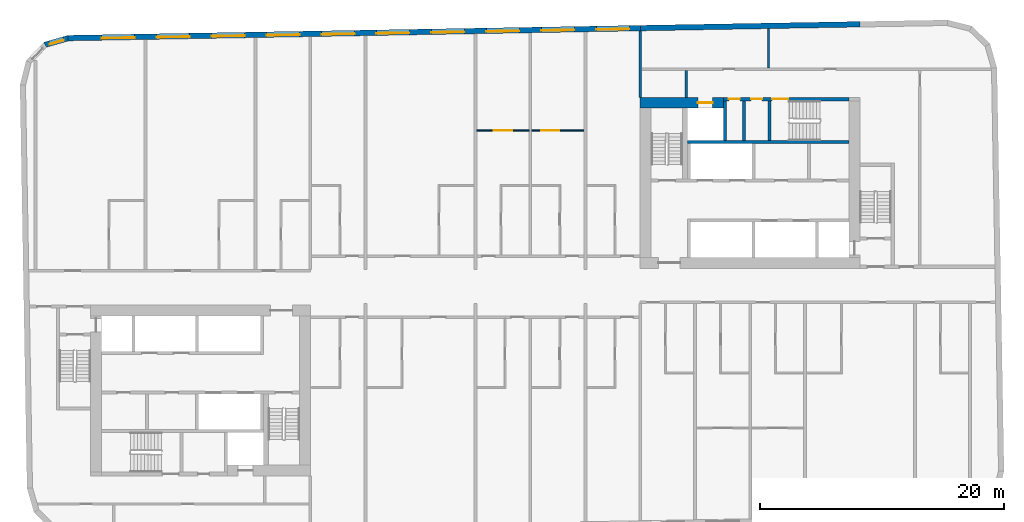
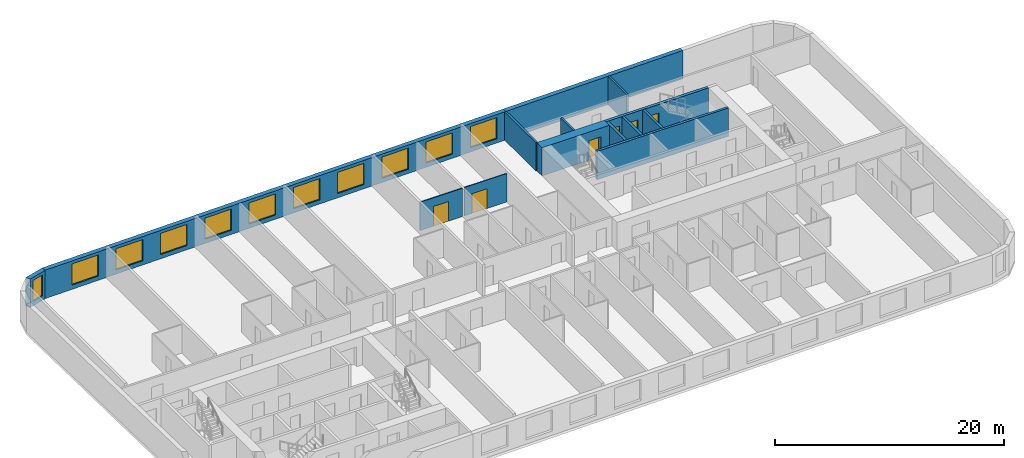
# One storey, part 6 of 11: 14 walls, 11 windows, 6 doors, 17 openings.
"""IFC4 building model written with IfcOpenShell, lengths in metres."""

import ifcopenshell
import ifcopenshell.guid

model = None  # the IFC model being written
_history = None  # IfcOwnerHistory: only IFC2X3 demands one
_inside = {}  # id of a spatial element -> (the spatial element, [elements in it])
_under = {}  # id of a project, library or spatial element -> (it, [spatial elements below it])
_declared = {}  # id of a project -> (the project, [libraries it declares])
_typed = {}  # id of a type object -> (the type object, [elements of that type])
_made_of = {}  # id of a material, layer set ... -> (it, [elements and type objects made of it])


def new_model(schema):
    """Start an empty IFC model of exactly this schema.

    Asked for "IFC4X3", IfcOpenShell would pick the latest addendum, in which some entities
    have other attributes; the version numbers below select the first issue.
    IFC2X3 requires an IfcOwnerHistory on every rooted entity: one is made here for all.
    """
    global model, _history
    if schema == "IFC4X3":
        model = ifcopenshell.file(schema_version=(4, 3, 0, 0))
    else:
        model = ifcopenshell.file(schema=schema)
    _inside.clear()
    _under.clear()
    _declared.clear()
    _typed.clear()
    _made_of.clear()
    _history = None
    if model.schema == "IFC2X3":
        org = make("IfcOrganization", Name="unknown")
        user = make(
            "IfcPersonAndOrganization",
            ThePerson=make("IfcPerson", FamilyName="unknown"),
            TheOrganization=org,
        )
        app = make(
            "IfcApplication",
            ApplicationDeveloper=org,
            Version="unknown",
            ApplicationFullName="unknown",
            ApplicationIdentifier="unknown",
        )
        _history = make(
            "IfcOwnerHistory",
            OwningUser=user,
            OwningApplication=app,
            ChangeAction="ADDED",
            CreationDate=0,
        )
    return model


def make(cls, **values):
    """One entity of the class cls with the attributes given. An attribute that is None is left unset."""
    return model.create_entity(
        cls, **{name: value for name, value in values.items() if value is not None}
    )


def rooted(cls, **values):
    """An entity with a GlobalId (a new one), such as an element, a storey or a relation."""
    return make(cls, GlobalId=ifcopenshell.guid.new(), OwnerHistory=_history, **values)


def si_unit(unit_type, name, prefix=None):
    """IfcSIUnit, for example si_unit("LENGTHUNIT", "METRE", prefix="MILLI")."""
    return make("IfcSIUnit", UnitType=unit_type, Prefix=prefix, Name=name)


def assignment(units):
    """IfcUnitAssignment: the units of a project."""
    return None if units is None else make("IfcUnitAssignment", Units=units)


def point(xyz):
    """IfcCartesianPoint."""
    return None if xyz is None else make("IfcCartesianPoint", Coordinates=xyz)


def direction(xyz):
    """IfcDirection."""
    return None if xyz is None else make("IfcDirection", DirectionRatios=xyz)


def frame(location, z_axis=None, x_axis=None):
    """IfcAxis2Placement3D, a coordinate frame: its origin and axes. An axis left out is left unset."""
    return make(
        "IfcAxis2Placement3D",
        Location=point(location),
        Axis=direction(z_axis),
        RefDirection=direction(x_axis),
    )


def frame_2d(location, x_axis=None):
    """IfcAxis2Placement2D, a coordinate frame in the plane: its origin and x axis."""
    return make(
        "IfcAxis2Placement2D", Location=point(location), RefDirection=direction(x_axis)
    )


def origin():
    """The frame at (0, 0, 0) with its axes left unset."""
    return frame((0.0, 0.0, 0.0))


def place(relative_to, where):
    """IfcLocalPlacement: puts the frame where relative to a parent placement (None: the world)."""
    return make(
        "IfcLocalPlacement", PlacementRelTo=relative_to, RelativePlacement=where
    )


def context(
    kind, dimensions, precision=None, world=None, true_north=None, identifier=None
):
    """IfcGeometricRepresentationContext, for example the 3D "Model" context."""
    return make(
        "IfcGeometricRepresentationContext",
        ContextIdentifier=identifier,
        ContextType=kind,
        CoordinateSpaceDimension=dimensions,
        Precision=precision,
        WorldCoordinateSystem=world,
        TrueNorth=true_north,
    )


def subcontext(parent, identifier, kind, view, scale=None):
    """IfcGeometricRepresentationSubContext, for example "Body" below "Model"."""
    return make(
        "IfcGeometricRepresentationSubContext",
        ContextIdentifier=identifier,
        ContextType=kind,
        ParentContext=parent,
        TargetScale=scale,
        TargetView=view,
    )


def project(units=None, contexts=None):
    """IfcProject with its units and contexts."""
    return rooted(
        "IfcProject",
        Name="project",
        RepresentationContexts=contexts,
        UnitsInContext=assignment(units),
    )


def spatial(cls, under=None, at=None, **own):
    """A site, building, storey or space (cls), placed at a placement, below another one or the project."""
    s = rooted(cls, ObjectPlacement=at, **own)
    if under is not None:
        _under.setdefault(under.id(), (under, []))[1].append(s)
    return s


def polyline(points):
    """IfcPolyline through the points."""
    return make("IfcPolyline", Points=[point(p) for p in points])


def profile(cls, at=None, kind="AREA", **sizes):
    """A parametric profile (cls). Its sizes go by their IFC names, for example OverallWidth=200.0."""
    return make(cls, ProfileType=kind, Position=at, **sizes)


def rectangle(**sizes):
    """IfcRectangleProfileDef."""
    return profile("IfcRectangleProfileDef", **sizes)


def outline(outer, holes=None, kind="AREA"):
    """IfcArbitraryClosedProfileDef: a profile drawn as a closed curve; with holes, ...WithVoids."""
    if holes is None:
        return make("IfcArbitraryClosedProfileDef", ProfileType=kind, OuterCurve=outer)
    return make(
        "IfcArbitraryProfileDefWithVoids",
        ProfileType=kind,
        OuterCurve=outer,
        InnerCurves=holes,
    )


def extrude(swept, where, along, depth):
    """IfcExtrudedAreaSolid: the profile swept, set in the frame where, extruded along a direction by depth."""
    return make(
        "IfcExtrudedAreaSolid",
        SweptArea=swept,
        Position=where,
        ExtrudedDirection=direction(along),
        Depth=depth,
    )


def shape(context_of_items, identifier, shape_type, items):
    """IfcShapeRepresentation: the items that make up one representation, for example the "Body"."""
    return make(
        "IfcShapeRepresentation",
        ContextOfItems=context_of_items,
        RepresentationIdentifier=identifier,
        RepresentationType=shape_type,
        Items=items,
    )


def material(Name=None, Category=None):
    """IfcMaterial."""
    return make("IfcMaterial", Name=Name, Category=Category)


def layer(
    of_material, thickness, ventilated=None, Name=None, Category=None, Priority=None
):
    """IfcMaterialLayer: one layer of a wall or slab, of a material (None: an air gap)."""
    return make(
        "IfcMaterialLayer",
        Material=of_material,
        LayerThickness=thickness,
        IsVentilated=ventilated,
        Name=Name,
        Category=Category,
        Priority=Priority,
    )


def layer_set(layers, Name=None):
    """IfcMaterialLayerSet."""
    return make("IfcMaterialLayerSet", MaterialLayers=layers, LayerSetName=Name)


def made_of(thing, what):
    """Note that an element or type object is made of a material, layer set ...; save() writes the relation."""
    if what is not None:
        _made_of.setdefault(what.id(), (what, []))[1].append(thing)
    return thing


def type_object(cls, material=None, **own):
    """A type object (cls), such as IfcWallType, which elements share."""
    return made_of(rooted(cls, **own), material)


def element(
    cls,
    number,
    at=None,
    inside=None,
    cuts=None,
    type_object=None,
    material=None,
    context=None,
    identifier="Body",
    shape_type=None,
    held_by="IfcProductDefinitionShape",
    body=None,
    shapes=None,
    **own,
):
    """One element of the class cls, such as IfcWall. Its Tag is "e" and its number.

    at: its placement. inside: the storey or other place that contains it. cuts: it is an
    opening in that element (IfcRelVoidsElement). A single representation is given by context,
    identifier, shape_type and body (its items); several are given by shapes. held_by: the class
    of the entity that holds the representations. save() writes the other relations.
    """
    e = rooted(cls, Tag="e%d" % number, ObjectPlacement=at, **own)
    if body is not None:
        shapes = [shape(context, identifier, shape_type, body)]
    if shapes is not None:
        e.Representation = make(held_by, Representations=shapes)
    if inside is not None:
        _inside.setdefault(inside.id(), (inside, []))[1].append(e)
    if cuts is not None:
        rooted(
            "IfcRelVoidsElement", RelatingBuildingElement=cuts, RelatedOpeningElement=e
        )
    if type_object is not None:
        _typed.setdefault(type_object.id(), (type_object, []))[1].append(e)
    return made_of(e, material)


def fill(opening, filler):
    """IfcRelFillsElement: the door or window that sits in an opening."""
    return rooted(
        "IfcRelFillsElement",
        RelatingOpeningElement=opening,
        RelatedBuildingElement=filler,
    )


def aggregate(whole, parts):
    """IfcRelAggregates: a whole, such as a stair, and the parts it consists of."""
    return rooted("IfcRelAggregates", RelatingObject=whole, RelatedObjects=parts)


def save(model, path):
    """Write the relations noted so far, then the file.

    IfcRelAggregates (storeys below a building ...), IfcRelContainedInSpatialStructure (elements
    in a storey), IfcRelDefinesByType, IfcRelAssociatesMaterial and IfcRelDeclares: one each for
    every whole, place, type object, material and project.
    """
    for whole, parts in _under.values():
        aggregate(whole, parts)
    for where, things in _inside.values():
        rooted(
            "IfcRelContainedInSpatialStructure",
            RelatedElements=things,
            RelatingStructure=where,
        )
    for kind, things in _typed.values():
        rooted("IfcRelDefinesByType", RelatedObjects=things, RelatingType=kind)
    for what, things in _made_of.values():
        rooted("IfcRelAssociatesMaterial", RelatedObjects=things, RelatingMaterial=what)
    for by, libraries in _declared.values():
        rooted("IfcRelDeclares", RelatingContext=by, RelatedDefinitions=libraries)
    model.write(path)


model = new_model("IFC4")

# Units and contexts
model_context = context("Model", 3, precision=1e-05, world=origin(), true_north=direction((0.0, 1.0)))
body_context = subcontext(model_context, "Body", "Model", "MODEL_VIEW")
ifc_project = project(units=[si_unit("LENGTHUNIT", "METRE"), si_unit("AREAUNIT", "SQUARE_METRE"), si_unit("VOLUMEUNIT", "CUBIC_METRE"), si_unit("PLANEANGLEUNIT", "RADIAN"), si_unit("MASSUNIT", "GRAM", prefix="KILO")], contexts=[model_context])

# Site, building, storey
site_placement = place(None, origin())
site = spatial("IfcSite", under=ifc_project, at=site_placement, CompositionType="ELEMENT")
building_placement = place(site_placement, origin())
building = spatial("IfcBuilding", under=site, at=building_placement, Name="Kajstack Hotel Tower", CompositionType="ELEMENT")
storey_placement = place(building_placement, frame((0.0, 0.0, 230.89990234375)))
storey = spatial("IfcBuildingStorey", under=building, at=storey_placement, Name="L56", CompositionType="ELEMENT", Elevation=230.89990234375)

# Wall, opening, door
ifc_material_1 = material(Name="Concrete C60/75", Category="concrete")
ifc_layer_1 = layer(ifc_material_1, 0.89990234375)
ifc_layer_set_1 = layer_set([ifc_layer_1], Name="Core wall 900")
wall_type_1 = type_object("IfcWallType", Name="Core wall 900", PredefinedType="SHEAR", material=ifc_layer_set_1)
wall_1_placement = place(storey_placement, frame((13.5, 15.050048828125, 0.0), z_axis=(0.0, 0.0, 1.0), x_axis=(1.0, 0.0, 0.0)))
wall_1 = element("IfcWall", 1, at=wall_1_placement, inside=storey, type_object=wall_type_1, Name="Core wall E RS", PredefinedType="SHEAR", context=body_context, shape_type="SweptSolid", body=[
    extrude(rectangle(XDim=6.800048828125, YDim=0.89990234375, at=frame_2d((3.39990234375, 0.0))), origin(), (0.0, 0.0, 1.0), 3.02001953125),
])
opening_1_placement = place(wall_1_placement, frame((4.72509765625, 0.0, 0.0)))
opening_1 = element("IfcOpeningElement", 2, at=opening_1_placement, cuts=wall_1, Name="Opening LD-SV2", PredefinedType="OPENING", context=body_context, shape_type="SweptSolid", body=[
    extrude(rectangle(XDim=1.199951171875, YDim=2.10009765625, at=frame_2d((0.60009765625, 1.050048828125))), frame((0.0, 0.4599609375, 0.0), z_axis=(0.0, -1.0, 0.0), x_axis=(1.0, 0.0, 0.0)), (0.0, 0.0, 1.0), 0.919921875),
])
ifc_material_2 = material(Name="Stainless steel", Category="steel")
door_type_1 = type_object("IfcDoorType", Name="Lift landing door 1200", OperationType="SLIDING_TO_LEFT", PredefinedType="DOOR", material=ifc_material_2)
door_1_placement = place(opening_1_placement, origin())
door_1 = element("IfcDoor", 3, at=door_1_placement, inside=storey, type_object=door_type_1, Name="Landing door SV2", OperationType="SLIDING_TO_LEFT", OverallHeight=2.10009765625, OverallWidth=1.199951171875, PredefinedType="DOOR", context=body_context, shape_type="SweptSolid", body=[
    extrude(rectangle(XDim=1.199951171875, YDim=2.10009765625, at=frame_2d((0.60009765625, 1.050048828125))), frame((0.0, 0.02490234375, 0.0), z_axis=(0.0, -1.0, 0.0), x_axis=(1.0, 0.0, 0.0)), (0.0, 0.0, 1.0), 0.050048828125),
])
fill(opening_1, door_1)

# Walls
ifc_material_3 = material(Name="Twin-frame gypsum board on steel studs, mineral wool", Category="steel")
ifc_layer_2 = layer(ifc_material_3, 0.199951171875)
ifc_layer_set_2 = layer_set([ifc_layer_2], Name="Demising wall 200")
wall_type_2 = type_object("IfcWallType", Name="Demising wall 200", PredefinedType="PARTITIONING", material=ifc_layer_set_2)
wall_2_placement = place(storey_placement, frame((13.5, 15.5, 0.0), z_axis=(0.0, 0.0, 1.0), x_axis=(0.0, 1.0, 0.0)))
element("IfcWall", 4, at=wall_2_placement, inside=storey, type_object=wall_type_2, Name="G-wall-L56-001", PredefinedType="PARTITIONING", context=body_context, shape_type="SweptSolid", body=[
    extrude(rectangle(XDim=5.43603515625, YDim=0.199951171875, at=frame_2d((2.718017578125, 0.0))), origin(), (0.0, 0.0, 1.0), 3.02001953125),
])
ifc_material_4 = material(Name="Concrete C40/50", Category="concrete")
ifc_layer_3 = layer(ifc_material_4, 0.449951171875)
ifc_layer_set_3 = layer_set([ifc_layer_3], Name="EW-CORE")
wall_type_3 = type_object("IfcWallType", Name="EW-CORE", PredefinedType="SOLIDWALL", material=ifc_layer_set_3)
wall_3_placement = place(storey_placement, frame((31.50390625, 21.4755859375, 0.0), z_axis=(0.0, 0.0, 1.0), x_axis=(-0.999847677887, -0.017453395744, 0.0)))
element("IfcWall", 5, at=wall_3_placement, inside=storey, type_object=wall_type_3, Name="E-wall-L56-12-01", PredefinedType="SOLIDWALL", context=body_context, shape_type="SweptSolid", body=[
    extrude(rectangle(XDim=18.002685546875, YDim=0.449951171875, at=frame_2d((9.00146484375, 0.0))), origin(), (0.0, 0.0, 1.0), 3.02001953125),
])

# Wall, openings, windows
ifc_material_5 = material(Name="Terracotta-faced brick masonry", Category="masonry")
ifc_layer_4 = layer(ifc_material_5, 0.449951171875)
ifc_layer_set_4 = layer_set([ifc_layer_4], Name="EW-TERRA")
wall_type_4 = type_object("IfcWallType", Name="EW-TERRA", PredefinedType="SOLIDWALL", material=ifc_layer_set_4)
wall_4_placement = place(storey_placement, frame((13.50390625, 21.161376953125, 0.0), z_axis=(0.0, 0.0, 1.0), x_axis=(-0.999847763257, -0.017448504532, 0.0)))
wall_4 = element("IfcWall", 6, at=wall_4_placement, inside=storey, type_object=wall_type_4, Name="E-wall-L56-12-02", PredefinedType="SOLIDWALL", context=body_context, shape_type="SweptSolid", body=[
    extrude(rectangle(XDim=46.859375, YDim=0.449951171875, at=frame_2d((23.4296875, 0.0))), origin(), (0.0, 0.0, 1.0), 3.02001953125),
])
opening_2_placement = place(wall_4_placement, frame((0.900390625, 0.0, 0.449951171875)))
opening_2 = element("IfcOpeningElement", 7, at=opening_2_placement, cuts=wall_4, Name="Opening W1", PredefinedType="OPENING", context=body_context, shape_type="SweptSolid", body=[
    extrude(rectangle(XDim=2.699951171875, YDim=2.25, at=frame_2d((1.35009765625, 1.125))), frame((0.0, 0.23486328125, 0.0), z_axis=(0.0, -1.0, 0.0), x_axis=(1.0, 0.0, 0.0)), (0.0, 0.0, 1.0), 0.469970703125),
])
opening_3_placement = place(wall_4_placement, frame((5.401123046875, 0.0, 0.449951171875)))
opening_3 = element("IfcOpeningElement", 8, at=opening_3_placement, cuts=wall_4, Name="Opening W1", PredefinedType="OPENING", context=body_context, shape_type="SweptSolid", body=[
    extrude(rectangle(XDim=2.699951171875, YDim=2.25, at=frame_2d((1.35009765625, 1.125))), frame((0.0, 0.23486328125, 0.0), z_axis=(0.0, -1.0, 0.0), x_axis=(1.0, 0.0, 0.0)), (0.0, 0.0, 1.0), 0.469970703125),
])
opening_4_placement = place(wall_4_placement, frame((9.90185546875, 0.0, 0.449951171875)))
opening_4 = element("IfcOpeningElement", 9, at=opening_4_placement, cuts=wall_4, Name="Opening W1", PredefinedType="OPENING", context=body_context, shape_type="SweptSolid", body=[
    extrude(rectangle(XDim=2.699951171875, YDim=2.25, at=frame_2d((1.35009765625, 1.125))), frame((0.0, 0.23486328125, 0.0), z_axis=(0.0, -1.0, 0.0), x_axis=(1.0, 0.0, 0.0)), (0.0, 0.0, 1.0), 0.469970703125),
])
opening_5_placement = place(wall_4_placement, frame((14.40234375, 0.0, 0.449951171875)))
opening_5 = element("IfcOpeningElement", 10, at=opening_5_placement, cuts=wall_4, Name="Opening W1", PredefinedType="OPENING", context=body_context, shape_type="SweptSolid", body=[
    extrude(rectangle(XDim=2.699951171875, YDim=2.25, at=frame_2d((1.35009765625, 1.125))), frame((0.0, 0.23486328125, 0.0), z_axis=(0.0, -1.0, 0.0), x_axis=(1.0, 0.0, 0.0)), (0.0, 0.0, 1.0), 0.469970703125),
])
opening_6_placement = place(wall_4_placement, frame((18.9033203125, 0.0, 0.449951171875)))
opening_6 = element("IfcOpeningElement", 11, at=opening_6_placement, cuts=wall_4, Name="Opening W1", PredefinedType="OPENING", context=body_context, shape_type="SweptSolid", body=[
    extrude(rectangle(XDim=2.699951171875, YDim=2.25, at=frame_2d((1.35009765625, 1.125))), frame((0.0, 0.23486328125, 0.0), z_axis=(0.0, -1.0, 0.0), x_axis=(1.0, 0.0, 0.0)), (0.0, 0.0, 1.0), 0.469970703125),
])
opening_7_placement = place(wall_4_placement, frame((23.40380859375, 0.0, 0.449951171875)))
opening_7 = element("IfcOpeningElement", 12, at=opening_7_placement, cuts=wall_4, Name="Opening W1", PredefinedType="OPENING", context=body_context, shape_type="SweptSolid", body=[
    extrude(rectangle(XDim=2.699951171875, YDim=2.25, at=frame_2d((1.35009765625, 1.125))), frame((0.0, 0.23486328125, 0.0), z_axis=(0.0, -1.0, 0.0), x_axis=(1.0, 0.0, 0.0)), (0.0, 0.0, 1.0), 0.469970703125),
])
opening_8_placement = place(wall_4_placement, frame((27.904296875, 0.0, 0.449951171875)))
opening_8 = element("IfcOpeningElement", 13, at=opening_8_placement, cuts=wall_4, Name="Opening W1", PredefinedType="OPENING", context=body_context, shape_type="SweptSolid", body=[
    extrude(rectangle(XDim=2.699951171875, YDim=2.25, at=frame_2d((1.35009765625, 1.125))), frame((0.0, 0.23486328125, 0.0), z_axis=(0.0, -1.0, 0.0), x_axis=(1.0, 0.0, 0.0)), (0.0, 0.0, 1.0), 0.469970703125),
])
opening_9_placement = place(wall_4_placement, frame((32.4052734375, 0.0, 0.449951171875)))
opening_9 = element("IfcOpeningElement", 14, at=opening_9_placement, cuts=wall_4, Name="Opening W1", PredefinedType="OPENING", context=body_context, shape_type="SweptSolid", body=[
    extrude(rectangle(XDim=2.699951171875, YDim=2.25, at=frame_2d((1.35009765625, 1.125))), frame((0.0, 0.23486328125, 0.0), z_axis=(0.0, -1.0, 0.0), x_axis=(1.0, 0.0, 0.0)), (0.0, 0.0, 1.0), 0.469970703125),
])
opening_10_placement = place(wall_4_placement, frame((36.906005859375, 0.0, 0.449951171875)))
opening_10 = element("IfcOpeningElement", 15, at=opening_10_placement, cuts=wall_4, Name="Opening W1", PredefinedType="OPENING", context=body_context, shape_type="SweptSolid", body=[
    extrude(rectangle(XDim=2.699951171875, YDim=2.25, at=frame_2d((1.35009765625, 1.125))), frame((0.0, 0.23486328125, 0.0), z_axis=(0.0, -1.0, 0.0), x_axis=(1.0, 0.0, 0.0)), (0.0, 0.0, 1.0), 0.469970703125),
])
opening_11_placement = place(wall_4_placement, frame((41.406494140625, 0.0, 0.449951171875)))
opening_11 = element("IfcOpeningElement", 16, at=opening_11_placement, cuts=wall_4, Name="Opening W1", PredefinedType="OPENING", context=body_context, shape_type="SweptSolid", body=[
    extrude(rectangle(XDim=2.699951171875, YDim=2.25, at=frame_2d((1.35009765625, 1.125))), frame((0.0, 0.23486328125, 0.0), z_axis=(0.0, -1.0, 0.0), x_axis=(1.0, 0.0, 0.0)), (0.0, 0.0, 1.0), 0.469970703125),
])
ifc_material_6 = material(Name="Timber-aluminium window, triple glazed", Category="wood")
window_type_1 = type_object("IfcWindowType", Name="WG1", PartitioningType="SINGLE_PANEL", PredefinedType="WINDOW", material=ifc_material_6)
window_1_placement = place(opening_2_placement, origin())
window_1 = element("IfcWindow", 17, at=window_1_placement, inside=storey, type_object=window_type_1, Name="Window W1 L56-12", OverallHeight=2.25, OverallWidth=2.699951171875, PartitioningType="SINGLE_PANEL", PredefinedType="WINDOW", context=body_context, shape_type="SweptSolid", body=[
    extrude(rectangle(XDim=2.699951171875, YDim=2.25, at=frame_2d((1.35009765625, 1.125))), frame((0.0, 0.090087890625, 0.0), z_axis=(0.0, -1.0, 0.0), x_axis=(1.0, 0.0, 0.0)), (0.0, 0.0, 1.0), 0.06005859375),
])
fill(opening_2, window_1)
window_2_placement = place(opening_3_placement, origin())
window_2 = element("IfcWindow", 18, at=window_2_placement, inside=storey, type_object=window_type_1, Name="Window W1 L56-12", OverallHeight=2.25, OverallWidth=2.699951171875, PartitioningType="SINGLE_PANEL", PredefinedType="WINDOW", context=body_context, shape_type="SweptSolid", body=[
    extrude(rectangle(XDim=2.699951171875, YDim=2.25, at=frame_2d((1.35009765625, 1.125))), frame((0.0, 0.090087890625, 0.0), z_axis=(0.0, -1.0, 0.0), x_axis=(1.0, 0.0, 0.0)), (0.0, 0.0, 1.0), 0.06005859375),
])
fill(opening_3, window_2)
window_3_placement = place(opening_4_placement, origin())
window_3 = element("IfcWindow", 19, at=window_3_placement, inside=storey, type_object=window_type_1, Name="Window W1 L56-12", OverallHeight=2.25, OverallWidth=2.699951171875, PartitioningType="SINGLE_PANEL", PredefinedType="WINDOW", context=body_context, shape_type="SweptSolid", body=[
    extrude(rectangle(XDim=2.699951171875, YDim=2.25, at=frame_2d((1.35009765625, 1.125))), frame((0.0, 0.090087890625, 0.0), z_axis=(0.0, -1.0, 0.0), x_axis=(1.0, 0.0, 0.0)), (0.0, 0.0, 1.0), 0.06005859375),
])
fill(opening_4, window_3)
window_4_placement = place(opening_5_placement, origin())
window_4 = element("IfcWindow", 20, at=window_4_placement, inside=storey, type_object=window_type_1, Name="Window W1 L56-12", OverallHeight=2.25, OverallWidth=2.699951171875, PartitioningType="SINGLE_PANEL", PredefinedType="WINDOW", context=body_context, shape_type="SweptSolid", body=[
    extrude(rectangle(XDim=2.699951171875, YDim=2.25, at=frame_2d((1.35009765625, 1.125))), frame((0.0, 0.090087890625, 0.0), z_axis=(0.0, -1.0, 0.0), x_axis=(1.0, 0.0, 0.0)), (0.0, 0.0, 1.0), 0.06005859375),
])
fill(opening_5, window_4)
window_5_placement = place(opening_6_placement, origin())
window_5 = element("IfcWindow", 21, at=window_5_placement, inside=storey, type_object=window_type_1, Name="Window W1 L56-12", OverallHeight=2.25, OverallWidth=2.699951171875, PartitioningType="SINGLE_PANEL", PredefinedType="WINDOW", context=body_context, shape_type="SweptSolid", body=[
    extrude(rectangle(XDim=2.699951171875, YDim=2.25, at=frame_2d((1.35009765625, 1.125))), frame((0.0, 0.090087890625, 0.0), z_axis=(0.0, -1.0, 0.0), x_axis=(1.0, 0.0, 0.0)), (0.0, 0.0, 1.0), 0.06005859375),
])
fill(opening_6, window_5)
window_6_placement = place(opening_7_placement, origin())
window_6 = element("IfcWindow", 22, at=window_6_placement, inside=storey, type_object=window_type_1, Name="Window W1 L56-12", OverallHeight=2.25, OverallWidth=2.699951171875, PartitioningType="SINGLE_PANEL", PredefinedType="WINDOW", context=body_context, shape_type="SweptSolid", body=[
    extrude(rectangle(XDim=2.699951171875, YDim=2.25, at=frame_2d((1.35009765625, 1.125))), frame((0.0, 0.090087890625, 0.0), z_axis=(0.0, -1.0, 0.0), x_axis=(1.0, 0.0, 0.0)), (0.0, 0.0, 1.0), 0.06005859375),
])
fill(opening_7, window_6)
window_7_placement = place(opening_8_placement, origin())
window_7 = element("IfcWindow", 23, at=window_7_placement, inside=storey, type_object=window_type_1, Name="Window W1 L56-12", OverallHeight=2.25, OverallWidth=2.699951171875, PartitioningType="SINGLE_PANEL", PredefinedType="WINDOW", context=body_context, shape_type="SweptSolid", body=[
    extrude(rectangle(XDim=2.699951171875, YDim=2.25, at=frame_2d((1.35009765625, 1.125))), frame((0.0, 0.090087890625, 0.0), z_axis=(0.0, -1.0, 0.0), x_axis=(1.0, 0.0, 0.0)), (0.0, 0.0, 1.0), 0.06005859375),
])
fill(opening_8, window_7)
window_8_placement = place(opening_9_placement, origin())
window_8 = element("IfcWindow", 24, at=window_8_placement, inside=storey, type_object=window_type_1, Name="Window W1 L56-12", OverallHeight=2.25, OverallWidth=2.699951171875, PartitioningType="SINGLE_PANEL", PredefinedType="WINDOW", context=body_context, shape_type="SweptSolid", body=[
    extrude(rectangle(XDim=2.699951171875, YDim=2.25, at=frame_2d((1.35009765625, 1.125))), frame((0.0, 0.090087890625, 0.0), z_axis=(0.0, -1.0, 0.0), x_axis=(1.0, 0.0, 0.0)), (0.0, 0.0, 1.0), 0.06005859375),
])
fill(opening_9, window_8)
window_9_placement = place(opening_10_placement, origin())
window_9 = element("IfcWindow", 25, at=window_9_placement, inside=storey, type_object=window_type_1, Name="Window W1 L56-12", OverallHeight=2.25, OverallWidth=2.699951171875, PartitioningType="SINGLE_PANEL", PredefinedType="WINDOW", context=body_context, shape_type="SweptSolid", body=[
    extrude(rectangle(XDim=2.699951171875, YDim=2.25, at=frame_2d((1.35009765625, 1.125))), frame((0.0, 0.090087890625, 0.0), z_axis=(0.0, -1.0, 0.0), x_axis=(1.0, 0.0, 0.0)), (0.0, 0.0, 1.0), 0.06005859375),
])
fill(opening_10, window_9)
window_10_placement = place(opening_11_placement, origin())
window_10 = element("IfcWindow", 26, at=window_10_placement, inside=storey, type_object=window_type_1, Name="Window W1 L56-12", OverallHeight=2.25, OverallWidth=2.699951171875, PartitioningType="SINGLE_PANEL", PredefinedType="WINDOW", context=body_context, shape_type="SweptSolid", body=[
    extrude(rectangle(XDim=2.699951171875, YDim=2.25, at=frame_2d((1.35009765625, 1.125))), frame((0.0, 0.090087890625, 0.0), z_axis=(0.0, -1.0, 0.0), x_axis=(1.0, 0.0, 0.0)), (0.0, 0.0, 1.0), 0.06005859375),
])
fill(opening_11, window_10)

# Wall, opening, window
wall_5_placement = place(storey_placement, frame((-33.290283203125, 20.352294921875, 0.0), z_axis=(0.0, 0.0, 1.0), x_axis=(-0.961247584925, -0.275686562016, 0.0)))
wall_5 = element("IfcWall", 27, at=wall_5_placement, inside=storey, type_object=wall_type_4, Name="E-wall-L56-13-00", PredefinedType="SOLIDWALL", context=body_context, shape_type="SweptSolid", body=[
    extrude(outline(polyline([(0.0, -0.22509765625), (2.070556640625, -0.22509765625), (1.949951171875, 0.224853515625), (0.12060546875, 0.224853515625), (0.0, -0.22509765625)])), origin(), (0.0, 0.0, 1.0), 3.02001953125),
])
opening_12_placement = place(wall_5_placement, frame((0.435302734375, 0.0, 0.449951171875)))
opening_12 = element("IfcOpeningElement", 28, at=opening_12_placement, cuts=wall_5, Name="Opening W3", PredefinedType="OPENING", context=body_context, shape_type="SweptSolid", body=[
    extrude(rectangle(XDim=1.199951171875, YDim=2.25, at=frame_2d((0.60009765625, 1.125))), frame((0.0, 0.23486328125, 0.0), z_axis=(0.0, -1.0, 0.0), x_axis=(1.0, 0.0, 0.0)), (0.0, 0.0, 1.0), 0.469970703125),
])
window_type_2 = type_object("IfcWindowType", Name="WG3", PartitioningType="SINGLE_PANEL", PredefinedType="WINDOW", material=ifc_material_6)
window_11_placement = place(opening_12_placement, origin())
window_11 = element("IfcWindow", 29, at=window_11_placement, inside=storey, type_object=window_type_2, Name="Window W3 L56-13", OverallHeight=2.25, OverallWidth=1.199951171875, PartitioningType="SINGLE_PANEL", PredefinedType="WINDOW", context=body_context, shape_type="SweptSolid", body=[
    extrude(rectangle(XDim=1.199951171875, YDim=2.25, at=frame_2d((0.60009765625, 1.125))), frame((0.0, 0.090087890625, 0.0), z_axis=(0.0, -1.0, 0.0), x_axis=(1.0, 0.0, 0.0)), (0.0, 0.0, 1.0), 0.06005859375),
])
fill(opening_12, window_11)

# Wall, opening, door
ifc_material_7 = material(Name="Gypsum board on steel studs", Category="steel")
ifc_layer_5 = layer(ifc_material_7, 0.10009765625)
ifc_layer_set_5 = layer_set([ifc_layer_5], Name="Partition 100")
wall_type_5 = type_object("IfcWallType", Name="Partition 100", PredefinedType="PARTITIONING", material=ifc_layer_set_5)
wall_6_placement = place(storey_placement, frame((0.125, 12.77490234375, 0.0), z_axis=(0.0, 0.0, 1.0), x_axis=(1.0, 0.0, 0.0)))
wall_6 = element("IfcWall", 30, at=wall_6_placement, inside=storey, type_object=wall_type_5, Name="G-wall-L56-019", PredefinedType="PARTITIONING", context=body_context, shape_type="SweptSolid", body=[
    extrude(rectangle(XDim=4.27490234375, YDim=0.10009765625, at=frame_2d((2.137451171875, 0.0))), origin(), (0.0, 0.0, 1.0), 3.02001953125),
])
opening_13_placement = place(wall_6_placement, frame((1.387939453125, 0.0, 0.0)))
opening_13 = element("IfcOpeningElement", 31, at=opening_13_placement, cuts=wall_6, Name="Opening 56013", PredefinedType="OPENING", context=body_context, shape_type="SweptSolid", body=[
    extrude(rectangle(XDim=1.5, YDim=2.10009765625, at=frame_2d((0.75, 1.050048828125))), frame((0.0, 0.06005859375, 0.0), z_axis=(0.0, -1.0, 0.0), x_axis=(1.0, 0.0, 0.0)), (0.0, 0.0, 1.0), 0.1201171875),
])
ifc_material_8 = material(Name="Painted timber door leaves, glazed panels", Category="wood")
door_type_2 = type_object("IfcDoorType", Name="Double door 1500", OperationType="SINGLE_SWING_LEFT", PredefinedType="DOOR", material=ifc_material_8)
door_2_placement = place(opening_13_placement, origin())
door_2 = element("IfcDoor", 32, at=door_2_placement, inside=storey, type_object=door_type_2, Name="G-door-L56-13", OperationType="SINGLE_SWING_LEFT", OverallHeight=2.10009765625, OverallWidth=1.5, PredefinedType="DOOR", context=body_context, shape_type="SweptSolid", body=[
    extrude(rectangle(XDim=1.5, YDim=2.10009765625, at=frame_2d((0.75, 1.050048828125))), frame((0.0, 0.02490234375, 0.0), z_axis=(0.0, -1.0, 0.0), x_axis=(1.0, 0.0, 0.0)), (0.0, 0.0, 1.0), 0.050048828125),
])
fill(opening_13, door_2)

wall_7_placement = place(storey_placement, frame((4.60009765625, 12.77490234375, 0.0), z_axis=(0.0, 0.0, 1.0), x_axis=(1.0, 0.0, 0.0)))
wall_7 = element("IfcWall", 33, at=wall_7_placement, inside=storey, type_object=wall_type_5, Name="G-wall-L56-022", PredefinedType="PARTITIONING", context=body_context, shape_type="SweptSolid", body=[
    extrude(rectangle(XDim=4.27490234375, YDim=0.10009765625, at=frame_2d((2.137451171875, 0.0))), origin(), (0.0, 0.0, 1.0), 3.02001953125),
])
opening_14_placement = place(wall_7_placement, frame((0.7880859375, 0.0, 0.0)))
opening_14 = element("IfcOpeningElement", 34, at=opening_14_placement, cuts=wall_7, Name="Opening 56016", PredefinedType="OPENING", context=body_context, shape_type="SweptSolid", body=[
    extrude(rectangle(XDim=1.5, YDim=2.10009765625, at=frame_2d((0.75, 1.050048828125))), frame((0.0, 0.06005859375, 0.0), z_axis=(0.0, -1.0, 0.0), x_axis=(1.0, 0.0, 0.0)), (0.0, 0.0, 1.0), 0.1201171875),
])
door_3_placement = place(opening_14_placement, origin())
door_3 = element("IfcDoor", 35, at=door_3_placement, inside=storey, type_object=door_type_2, Name="G-door-L56-16", OperationType="SINGLE_SWING_LEFT", OverallHeight=2.10009765625, OverallWidth=1.5, PredefinedType="DOOR", context=body_context, shape_type="SweptSolid", body=[
    extrude(rectangle(XDim=1.5, YDim=2.10009765625, at=frame_2d((0.75, 1.050048828125))), frame((0.0, 0.02490234375, 0.0), z_axis=(0.0, -1.0, 0.0), x_axis=(1.0, 0.0, 0.0)), (0.0, 0.0, 1.0), 0.050048828125),
])
fill(opening_14, door_3)

# Walls
ifc_material_9 = material(Name="Concrete block masonry", Category="masonry")
ifc_layer_6 = layer(ifc_material_9, 0.25)
ifc_layer_set_6 = layer_set([ifc_layer_6], Name="Riser partition 250")
wall_type_6 = type_object("IfcWallType", Name="Riser partition 250", PredefinedType="PARTITIONING", material=ifc_layer_set_6)
wall_8_placement = place(storey_placement, frame((22.0, 11.949951171875, 0.0), z_axis=(0.0, 0.0, 1.0), x_axis=(0.0, 1.0, 0.0)))
element("IfcWall", 36, at=wall_8_placement, inside=storey, type_object=wall_type_6, Name="Partition E SZ0", PredefinedType="PARTITIONING", context=body_context, shape_type="SweptSolid", body=[
    extrude(rectangle(XDim=3.25, YDim=0.25, at=frame_2d((1.625, 0.0))), origin(), (0.0, 0.0, 1.0), 3.02001953125),
])
ifc_material_10 = material(Name="Gypsum board on steel studs, mineral wool", Category="steel")
ifc_layer_7 = layer(ifc_material_10, 0.199951171875)
ifc_layer_set_7 = layer_set([ifc_layer_7], Name="Service partition 200")
wall_type_7 = type_object("IfcWallType", Name="Service partition 200", PredefinedType="PARTITIONING", material=ifc_layer_set_7)
wall_9_placement = place(storey_placement, frame((17.25, 15.5, 0.0), z_axis=(0.0, 0.0, 1.0), x_axis=(0.0, 1.0, 0.0)))
element("IfcWall", 37, at=wall_9_placement, inside=storey, type_object=wall_type_7, Name="Partition E SCE", PredefinedType="PARTITIONING", context=body_context, shape_type="SweptSolid", body=[
    extrude(rectangle(XDim=2.199951171875, YDim=0.199951171875, at=frame_2d((1.10009765625, 0.0))), origin(), (0.0, 0.0, 1.0), 3.02001953125),
])
wall_10_placement = place(storey_placement, frame((24.0, 17.89990234375, 0.0), z_axis=(0.0, 0.0, 1.0), x_axis=(0.0, 1.0, 0.0)))
element("IfcWall", 38, at=wall_10_placement, inside=storey, type_object=wall_type_7, Name="Partition E SLP0", PredefinedType="PARTITIONING", context=body_context, shape_type="SweptSolid", body=[
    extrude(rectangle(XDim=3.219970703125, YDim=0.199951171875, at=frame_2d((1.60986328125, 0.0))), origin(), (0.0, 0.0, 1.0), 3.02001953125),
])

# Wall, openings, doors
ifc_material_11 = material(Name="Concrete C50/60", Category="concrete")
ifc_layer_8 = layer(ifc_material_11, 0.25)
ifc_layer_set_8 = layer_set([ifc_layer_8], Name="Shaft wall 250")
wall_type_8 = type_object("IfcWallType", Name="Shaft wall 250", PredefinedType="SHEAR", material=ifc_layer_set_8)
wall_11_placement = place(storey_placement, frame((20.300048828125, 15.35009765625, 0.0), z_axis=(0.0, 0.0, 1.0), x_axis=(1.0, 0.0, 0.0)))
wall_11 = element("IfcWall", 39, at=wall_11_placement, inside=storey, type_object=wall_type_8, Name="Core wall E RSS", PredefinedType="SHEAR", context=body_context, shape_type="SweptSolid", body=[
    extrude(rectangle(XDim=10.300048828125, YDim=0.300048828125, at=frame_2d((5.14990234375, 0.0))), origin(), (0.0, 0.0, 1.0), 3.02001953125),
])
opening_15_placement = place(wall_11_placement, frame((4.0, 0.0, 0.0)))
opening_15 = element("IfcOpeningElement", 40, at=opening_15_placement, cuts=wall_11, Name="Opening 56E12", PredefinedType="OPENING", context=body_context, shape_type="SweptSolid", body=[
    extrude(rectangle(XDim=1.300048828125, YDim=2.10009765625, at=frame_2d((0.64990234375, 1.050048828125))), frame((0.0, 0.159912109375, 0.0), z_axis=(0.0, -1.0, 0.0), x_axis=(1.0, 0.0, 0.0)), (0.0, 0.0, 1.0), 0.320068359375),
])
opening_16_placement = place(wall_11_placement, frame((2.28759765625, 0.0, 0.0)))
opening_16 = element("IfcOpeningElement", 41, at=opening_16_placement, cuts=wall_11, Name="Opening 56E13", PredefinedType="OPENING", context=body_context, shape_type="SweptSolid", body=[
    extrude(rectangle(XDim=0.89990234375, YDim=2.10009765625, at=frame_2d((0.449951171875, 1.050048828125))), frame((0.0, 0.159912109375, 0.0), z_axis=(0.0, -1.0, 0.0), x_axis=(1.0, 0.0, 0.0)), (0.0, 0.0, 1.0), 0.320068359375),
])
opening_17_placement = place(wall_11_placement, frame((0.46240234375, 0.0, 0.0)))
opening_17 = element("IfcOpeningElement", 42, at=opening_17_placement, cuts=wall_11, Name="Opening 56E14", PredefinedType="OPENING", context=body_context, shape_type="SweptSolid", body=[
    extrude(rectangle(XDim=0.89990234375, YDim=2.10009765625, at=frame_2d((0.449951171875, 1.050048828125))), frame((0.0, 0.159912109375, 0.0), z_axis=(0.0, -1.0, 0.0), x_axis=(1.0, 0.0, 0.0)), (0.0, 0.0, 1.0), 0.320068359375),
])
ifc_material_12 = material(Name="Timber leaf, fire-rated", Category="wood")
door_type_3 = type_object("IfcDoorType", Name="Service door 900", OperationType="SINGLE_SWING_LEFT", PredefinedType="DOOR", material=ifc_material_12)
door_4_placement = place(opening_16_placement, origin())
door_4 = element("IfcDoor", 43, at=door_4_placement, inside=storey, type_object=door_type_3, Name="Door 56E13", OperationType="SINGLE_SWING_RIGHT", OverallHeight=2.10009765625, OverallWidth=0.89990234375, PredefinedType="DOOR", context=body_context, shape_type="SweptSolid", body=[
    extrude(rectangle(XDim=0.89990234375, YDim=2.10009765625, at=frame_2d((0.449951171875, 1.050048828125))), frame((0.0, 0.02490234375, 0.0), z_axis=(0.0, -1.0, 0.0), x_axis=(1.0, 0.0, 0.0)), (0.0, 0.0, 1.0), 0.050048828125),
])
fill(opening_16, door_4)
door_5_placement = place(opening_17_placement, origin())
door_5 = element("IfcDoor", 44, at=door_5_placement, inside=storey, type_object=door_type_3, Name="Door 56E14", OperationType="SINGLE_SWING_RIGHT", OverallHeight=2.10009765625, OverallWidth=0.89990234375, PredefinedType="DOOR", context=body_context, shape_type="SweptSolid", body=[
    extrude(rectangle(XDim=0.89990234375, YDim=2.10009765625, at=frame_2d((0.449951171875, 1.050048828125))), frame((0.0, 0.02490234375, 0.0), z_axis=(0.0, -1.0, 0.0), x_axis=(1.0, 0.0, 0.0)), (0.0, 0.0, 1.0), 0.050048828125),
])
fill(opening_17, door_5)
ifc_material_13 = material(Name="Steel leaf, fire-rated", Category="steel")
door_type_4 = type_object("IfcDoorType", Name="Stair door 1300", OperationType="SINGLE_SWING_LEFT", PredefinedType="DOOR", material=ifc_material_13)
door_6_placement = place(opening_15_placement, origin())
door_6 = element("IfcDoor", 45, at=door_6_placement, inside=storey, type_object=door_type_4, Name="Door 56E12", OperationType="SINGLE_SWING_LEFT", OverallHeight=2.10009765625, OverallWidth=1.300048828125, PredefinedType="DOOR", context=body_context, shape_type="SweptSolid", body=[
    extrude(rectangle(XDim=1.300048828125, YDim=2.10009765625, at=frame_2d((0.64990234375, 1.050048828125))), frame((0.0, 0.02490234375, 0.0), z_axis=(0.0, -1.0, 0.0), x_axis=(1.0, 0.0, 0.0)), (0.0, 0.0, 1.0), 0.050048828125),
])
fill(opening_15, door_6)

# Walls
wall_12_placement = place(storey_placement, frame((17.35009765625, 11.824951171875, 0.0), z_axis=(0.0, 0.0, 1.0), x_axis=(1.0, 0.0, 0.0)))
element("IfcWall", 46, at=wall_12_placement, inside=storey, type_object=wall_type_8, Name="Core wall E RB", PredefinedType="SHEAR", context=body_context, shape_type="SweptSolid", body=[
    extrude(rectangle(XDim=13.25, YDim=0.25, at=frame_2d((6.625, 0.0))), origin(), (0.0, 0.0, 1.0), 3.02001953125),
])
wall_13_placement = place(storey_placement, frame((20.425048828125, 11.949951171875, 0.0), z_axis=(0.0, 0.0, 1.0), x_axis=(0.0, 1.0, 0.0)))
element("IfcWall", 47, at=wall_13_placement, inside=storey, type_object=wall_type_8, Name="Core wall E SVW", PredefinedType="SHEAR", context=body_context, shape_type="SweptSolid", body=[
    extrude(rectangle(XDim=3.25, YDim=0.25, at=frame_2d((1.625, 0.0))), origin(), (0.0, 0.0, 1.0), 3.02001953125),
])
ifc_layer_9 = layer(ifc_material_11, 0.35009765625)
ifc_layer_set_9 = layer_set([ifc_layer_9], Name="Stair enclosure wall 350")
wall_type_9 = type_object("IfcWallType", Name="Stair enclosure wall 350", PredefinedType="SHEAR", material=ifc_layer_set_9)
wall_14_placement = place(storey_placement, frame((24.074951171875, 11.949951171875, 0.0), z_axis=(0.0, 0.0, 1.0), x_axis=(0.0, 1.0, 0.0)))
element("IfcWall", 48, at=wall_14_placement, inside=storey, type_object=wall_type_9, Name="Core wall E W3E", PredefinedType="SHEAR", context=body_context, shape_type="SweptSolid", body=[
    extrude(rectangle(XDim=3.25, YDim=0.25, at=frame_2d((1.625, 0.0))), origin(), (0.0, 0.0, 1.0), 3.02001953125),
])

save(model, "model.ifc")
